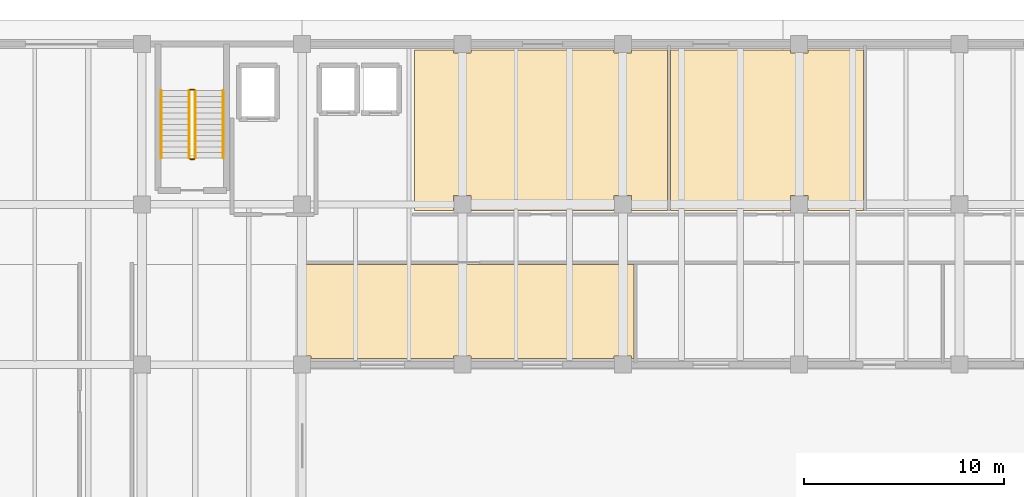
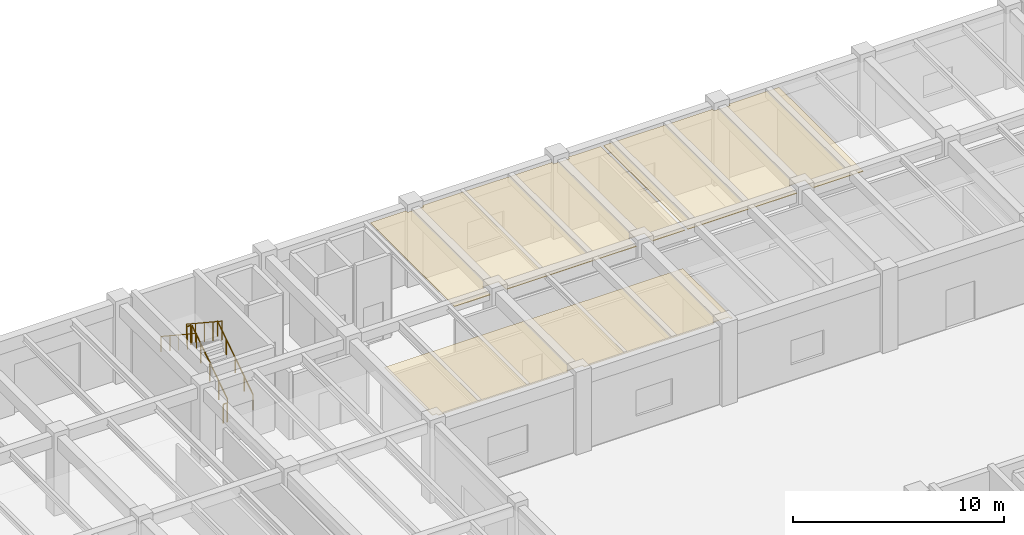
# One storey, part 56 of 64: 6 railings, 3 coverings.
"""IFC4 building model written with IfcOpenShell, lengths in metres."""

from ifc_helpers import new_model, si_unit, direction, frame, origin, origin_2d, place, context, subcontext, project, spatial, polyline, circle, outline, extrude, material, layer, layer_set, type_object, element, save


model = new_model("IFC4")

# Units and contexts
model_context = context("Model", 3, precision=1e-05, world=origin(), true_north=direction((0.0, 1.0)))
body_context = subcontext(model_context, "Body", "Model", "MODEL_VIEW")
ifc_project = project(units=[si_unit("LENGTHUNIT", "METRE"), si_unit("AREAUNIT", "SQUARE_METRE"), si_unit("VOLUMEUNIT", "CUBIC_METRE"), si_unit("PLANEANGLEUNIT", "RADIAN"), si_unit("MASSUNIT", "GRAM", prefix="KILO")], contexts=[model_context])

# Site, building, storey
site_placement = place(None, origin())
site = spatial("IfcSite", under=ifc_project, at=site_placement, CompositionType="ELEMENT")
building_placement = place(site_placement, origin())
building = spatial("IfcBuilding", under=site, at=building_placement, Name="Tlaxcora Railside Police Headquarters", CompositionType="ELEMENT")
storey_placement = place(building_placement, origin())
storey = spatial("IfcBuildingStorey", under=building, at=storey_placement, Name="L00", CompositionType="ELEMENT", Elevation=0.0)

# Coverings
ifc_material_1 = material(Name="Mineral-fibre acoustic ceiling tile")
ifc_layer = layer(ifc_material_1, 0.034912109375, Name="Mineral-fibre acoustic ceiling tile")
ifc_layer_set = layer_set([ifc_layer], Name="Mineral-fibre acoustic ceiling tile")
covering_type = type_object("IfcCoveringType", Name="Acoustic Suspended Ceiling CLG-01", PredefinedType="CEILING", material=ifc_layer_set)
covering_1_placement = place(storey_placement, frame((0.0, 0.0, 4.364990234375)))
element("IfcCovering", 1, at=covering_1_placement, inside=storey, type_object=covering_type, Name="Patrol Shift Briefing Room suspended ceiling", PredefinedType="CEILING", context=body_context, shape_type="SweptSolid", body=[
    extrude(outline(polyline([(45.751953125, 81.800048828125), (29.39990234375, 81.800048828125), (29.39990234375, 77.235107421875), (29.635009765625, 77.235107421875), (29.635009765625, 77.10009765625), (36.764892578125, 77.10009765625), (36.764892578125, 77.235107421875), (37.635009765625, 77.235107421875), (37.635009765625, 77.10009765625), (44.764892578125, 77.10009765625), (44.764892578125, 77.235107421875), (45.635009765625, 77.235107421875), (45.635009765625, 77.10009765625), (45.751953125, 77.10009765625), (45.751953125, 81.800048828125)])), origin(), (0.0, 0.0, 1.0), 0.034912109375),
])
covering_2_placement = place(storey_placement, frame((0.0, 0.0, 4.364990234375)))
element("IfcCovering", 2, at=covering_2_placement, inside=storey, type_object=covering_type, Name="K9 Handler Operations Office suspended ceiling", PredefinedType="CEILING", context=body_context, shape_type="SweptSolid", body=[
    extrude(outline(polyline([(36.764892578125, 92.364990234375), (36.764892578125, 92.5), (34.800048828125, 92.5), (34.800048828125, 84.5), (36.764892578125, 84.5), (36.764892578125, 85.235107421875), (37.635009765625, 85.235107421875), (37.635009765625, 84.5), (44.764892578125, 84.5), (44.764892578125, 85.235107421875), (45.635009765625, 85.235107421875), (45.635009765625, 84.5), (47.430908203125, 84.5), (47.430908203125, 92.5), (45.635009765625, 92.5), (45.635009765625, 92.364990234375), (44.764892578125, 92.364990234375), (44.764892578125, 92.5), (37.635009765625, 92.5), (37.635009765625, 92.364990234375), (36.764892578125, 92.364990234375)])), origin(), (0.0, 0.0, 1.0), 0.034912109375),
])
covering_3_placement = place(storey_placement, frame((0.0, 0.0, 4.364990234375)))
element("IfcCovering", 3, at=covering_3_placement, inside=storey, type_object=covering_type, Name="Accessible WC and Patrol Locker Restroom L00 suspended ceiling", PredefinedType="CEILING", context=body_context, shape_type="SweptSolid", body=[
    extrude(outline(polyline([(47.591064453125, 92.5), (47.591064453125, 84.5), (53.56494140625, 84.5), (53.56494140625, 85.235107421875), (54.43505859375, 85.235107421875), (54.43505859375, 84.5), (57.208984375, 84.5), (57.208984375, 92.5), (54.43505859375, 92.5), (54.43505859375, 92.364990234375), (53.56494140625, 92.364990234375), (53.56494140625, 92.5), (47.591064453125, 92.5)])), origin(), (0.0, 0.0, 1.0), 0.034912109375),
])

# Railings
ifc_material_2 = material(Name="Steel ASTM A992 Grade 50", Category="steel")
railing_type_1 = type_object("IfcRailingType", Name="Stair Well Guard Balustrade GR-02", PredefinedType="BALUSTRADE", material=ifc_material_2)
railing_1_placement = place(storey_placement, frame((23.860107421875, 87.110107421875, 0.1845703125)))
element("IfcRailing", 4, at=railing_1_placement, inside=storey, type_object=railing_type_1, Name="L00 ST1 stair guard 1", PredefinedType="BALUSTRADE", context=body_context, shape_type="SweptSolid", body=[
    extrude(circle(Radius=0.02392578125, at=origin_2d()), frame((0.0, 0.0, 1.09619140625), z_axis=(0.0, 0.834858096282, 0.550465220583), x_axis=(-1.0, 0.0, 0.0)), (0.0, 0.0, 1.0), 4.0244140625),
    extrude(circle(Radius=0.02099609375, at=origin_2d()), origin(), (0.0, 0.0, 1.0), 1.072021484375),
    extrude(circle(Radius=0.02099609375, at=origin_2d()), frame((0.0, 0.83984375, 0.5537109375)), (0.0, 0.0, 1.0), 1.072021484375),
    extrude(circle(Radius=0.02099609375, at=origin_2d()), frame((0.0, 1.679931640625, 1.107666015625)), (0.0, 0.0, 1.0), 1.072021484375),
    extrude(circle(Radius=0.02099609375, at=origin_2d()), frame((0.0, 2.52001953125, 1.66162109375)), (0.0, 0.0, 1.0), 1.072021484375),
    extrude(circle(Radius=0.02099609375, at=origin_2d()), frame((0.0, 3.35986328125, 2.21533203125)), (0.0, 0.0, 1.0), 1.072021484375),
])
railing_2_placement = place(storey_placement, frame((23.81005859375, 90.52001953125, 2.39990234375)))
element("IfcRailing", 5, at=railing_2_placement, inside=storey, type_object=railing_type_1, Name="L00 ST1 stair guard 2", PredefinedType="BALUSTRADE", context=body_context, shape_type="SweptSolid", body=[
    extrude(circle(Radius=0.02392578125, at=origin_2d()), frame((0.0, 0.0, 1.09619140625), z_axis=(-1.0, 0.0, 0.0), x_axis=(0.0, -1.0, 0.0)), (0.0, 0.0, 1.0), 0.199951171875),
    extrude(circle(Radius=0.02099609375, at=origin_2d()), origin(), (0.0, 0.0, 1.0), 1.072021484375),
    extrude(circle(Radius=0.02099609375, at=origin_2d()), frame((-0.199951171875, 0.0, 0.0)), (0.0, 0.0, 1.0), 1.072021484375),
])
railing_3_placement = place(storey_placement, frame((23.56005859375, 90.469970703125, 2.584716796875)))
element("IfcRailing", 6, at=railing_3_placement, inside=storey, type_object=railing_type_1, Name="L00 ST1 stair guard 3", PredefinedType="BALUSTRADE", context=body_context, shape_type="SweptSolid", body=[
    extrude(circle(Radius=0.02392578125, at=origin_2d()), frame((0.0, 0.0, 1.09619140625), z_axis=(0.0, -0.834858096282, 0.550465220583), x_axis=(1.0, 0.0, 0.0)), (0.0, 0.0, 1.0), 4.0244140625),
    extrude(circle(Radius=0.02099609375, at=origin_2d()), origin(), (0.0, 0.0, 1.0), 1.072021484375),
    extrude(circle(Radius=0.02099609375, at=origin_2d()), frame((0.0, -0.83984375, 0.5537109375)), (0.0, 0.0, 1.0), 1.072021484375),
    extrude(circle(Radius=0.02099609375, at=origin_2d()), frame((0.0, -1.679931640625, 1.107666015625)), (0.0, 0.0, 1.0), 1.072021484375),
    extrude(circle(Radius=0.02099609375, at=origin_2d()), frame((0.0, -2.52001953125, 1.66162109375)), (0.0, 0.0, 1.0), 1.072021484375),
    extrude(circle(Radius=0.02099609375, at=origin_2d()), frame((0.0, -3.35986328125, 2.21533203125)), (0.0, 0.0, 1.0), 1.072021484375),
])
railing_4_placement = place(storey_placement, frame((23.81005859375, 87.06005859375, 0.0)))
element("IfcRailing", 7, at=railing_4_placement, inside=storey, type_object=railing_type_1, Name="L00 ST1 stair guard 4", PredefinedType="BALUSTRADE", context=body_context, shape_type="SweptSolid", body=[
    extrude(circle(Radius=0.02392578125, at=origin_2d()), frame((0.0, 0.0, 1.09619140625), z_axis=(-1.0, 0.0, 0.0), x_axis=(0.0, -1.0, 0.0)), (0.0, 0.0, 1.0), 0.199951171875),
    extrude(circle(Radius=0.02099609375, at=origin_2d()), origin(), (0.0, 0.0, 1.0), 1.072021484375),
    extrude(circle(Radius=0.02099609375, at=origin_2d()), frame((-0.199951171875, 0.0, 0.0)), (0.0, 0.0, 1.0), 1.072021484375),
])
railing_type_2 = type_object("IfcRailingType", Name="Stair and Ramp Handrail HR-01", PredefinedType="HANDRAIL", material=ifc_material_2)
railing_5_placement = place(storey_placement, frame((25.260009765625, 87.110107421875, 0.1845703125)))
element("IfcRailing", 8, at=railing_5_placement, inside=storey, type_object=railing_type_2, Name="L00 ST1 stair handrail 1", PredefinedType="HANDRAIL", context=body_context, shape_type="SweptSolid", body=[
    extrude(circle(Radius=0.02392578125, at=origin_2d()), frame((0.0, 0.0, 0.8759765625), z_axis=(0.0, 0.834858096282, 0.550465220583), x_axis=(-1.0, 0.0, 0.0)), (0.0, 0.0, 1.0), 4.0244140625),
    extrude(circle(Radius=0.02099609375, at=origin_2d()), origin(), (0.0, 0.0, 1.0), 0.851806640625),
    extrude(circle(Radius=0.02099609375, at=origin_2d()), frame((0.0, 0.83984375, 0.5537109375)), (0.0, 0.0, 1.0), 0.851806640625),
    extrude(circle(Radius=0.02099609375, at=origin_2d()), frame((0.0, 1.679931640625, 1.107666015625)), (0.0, 0.0, 1.0), 0.851806640625),
    extrude(circle(Radius=0.02099609375, at=origin_2d()), frame((0.0, 2.52001953125, 1.66162109375)), (0.0, 0.0, 1.0), 0.851806640625),
    extrude(circle(Radius=0.02099609375, at=origin_2d()), frame((0.0, 3.35986328125, 2.21533203125)), (0.0, 0.0, 1.0), 0.851806640625),
])
railing_6_placement = place(storey_placement, frame((22.159912109375, 90.469970703125, 2.584716796875)))
element("IfcRailing", 9, at=railing_6_placement, inside=storey, type_object=railing_type_2, Name="L00 ST1 stair handrail 2", PredefinedType="HANDRAIL", context=body_context, shape_type="SweptSolid", body=[
    extrude(circle(Radius=0.02392578125, at=origin_2d()), frame((0.0, 0.0, 0.8759765625), z_axis=(0.0, -0.834858096282, 0.550465220583), x_axis=(1.0, 0.0, 0.0)), (0.0, 0.0, 1.0), 4.0244140625),
    extrude(circle(Radius=0.02099609375, at=origin_2d()), origin(), (0.0, 0.0, 1.0), 0.851806640625),
    extrude(circle(Radius=0.02099609375, at=origin_2d()), frame((0.0, -0.83984375, 0.5537109375)), (0.0, 0.0, 1.0), 0.851806640625),
    extrude(circle(Radius=0.02099609375, at=origin_2d()), frame((0.0, -1.679931640625, 1.107666015625)), (0.0, 0.0, 1.0), 0.851806640625),
    extrude(circle(Radius=0.02099609375, at=origin_2d()), frame((0.0, -2.52001953125, 1.66162109375)), (0.0, 0.0, 1.0), 0.851806640625),
    extrude(circle(Radius=0.02099609375, at=origin_2d()), frame((0.0, -3.35986328125, 2.21533203125)), (0.0, 0.0, 1.0), 0.851806640625),
])

save(model, "model.ifc")
